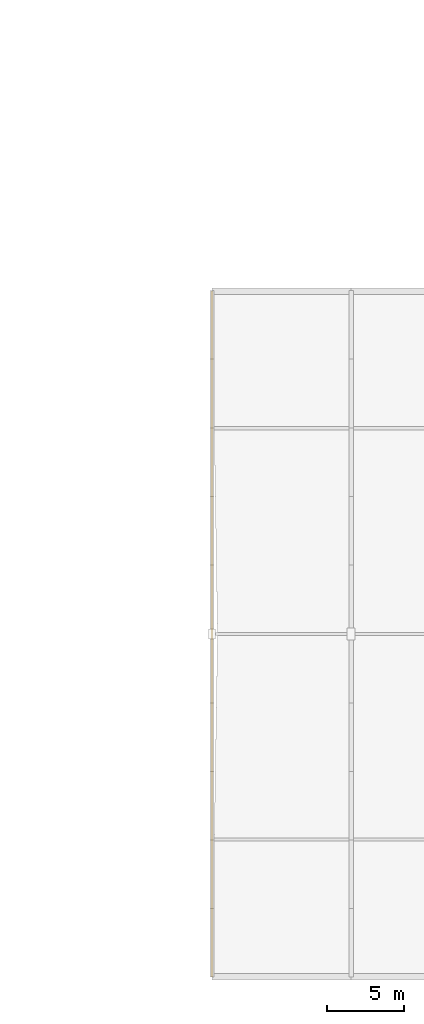
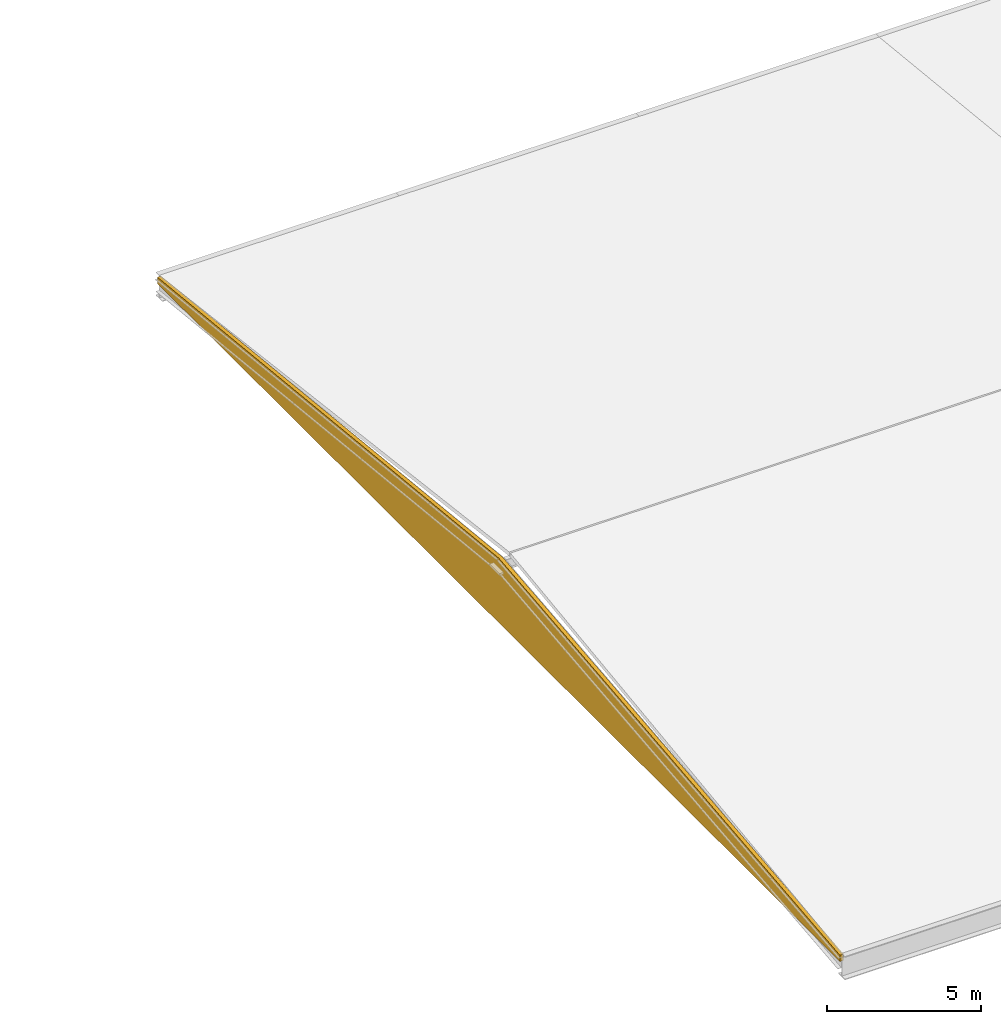
# One storey, part 51 of 53: 1 covering.
"""IFC4 building model written with IfcOpenShell, lengths in metres."""

from ifc_helpers import new_model, si_unit, direction, frame, origin, place, context, subcontext, project, spatial, polyline, outline, extrude, material, type_object, element, save


model = new_model("IFC4")

# Units and contexts
model_context = context("Model", 3, precision=1e-05, world=origin(), true_north=direction((0.0, 1.0)))
body_context = subcontext(model_context, "Body", "Model", "MODEL_VIEW")
ifc_project = project(units=[si_unit("LENGTHUNIT", "METRE"), si_unit("AREAUNIT", "SQUARE_METRE"), si_unit("VOLUMEUNIT", "CUBIC_METRE"), si_unit("PLANEANGLEUNIT", "RADIAN"), si_unit("MASSUNIT", "GRAM", prefix="KILO")], contexts=[model_context])

# Site, building, storey
site_placement = place(None, origin())
site = spatial("IfcSite", under=ifc_project, at=site_placement, CompositionType="ELEMENT")
building_placement = place(site_placement, origin())
building = spatial("IfcBuilding", under=site, at=building_placement, Name="Cazmaro Siding Exhibition Halls", CompositionType="ELEMENT")
storey_placement = place(building_placement, frame((0.0, 0.0, 21.0)))
storey = spatial("IfcBuildingStorey", under=building, at=storey_placement, Name="L04", CompositionType="ELEMENT", Elevation=21.0)

# Covering
ifc_material = material(Name="Insulated Brushed Aluminum Architectural Gable Cladding", Category="aluminium")
covering_type = type_object("IfcCoveringType", Name="COV-CLAD-01", PredefinedType="CLADDING", material=ifc_material)
covering_placement = place(storey_placement, frame((72.0, 9.25, -21.0), z_axis=(0.0, 0.0, 1.0), x_axis=(0.0, 1.0, 0.0)))
element("IfcCovering", 1, at=covering_placement, inside=storey, type_object=covering_type, Name="Hall B2 West Gable Tympanum Cladding COV-CLAD-01 001", PredefinedType="CLADDING", context=body_context, shape_type="SweptSolid", body=[
    extrude(outline(polyline([(0.0, 20.699951171875), (44.35009765625, 20.699951171875), (44.35009765625, 20.949951171875), (22.175048828125, 23.260009765625), (0.0, 20.949951171875), (0.0, 20.699951171875)])), frame((0.0, 0.06982421875, 0.0), z_axis=(0.0, -1.0, 0.0), x_axis=(1.0, 0.0, 0.0)), (0.0, 0.0, 1.0), 0.139892578125),
])

save(model, "model.ifc")
